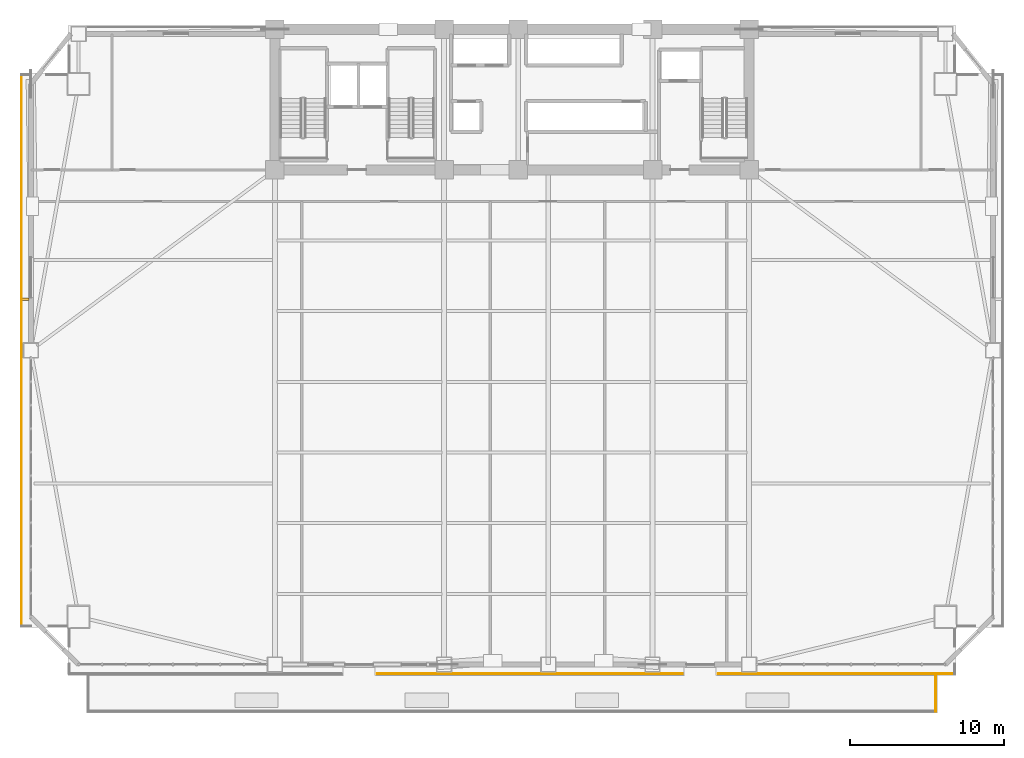
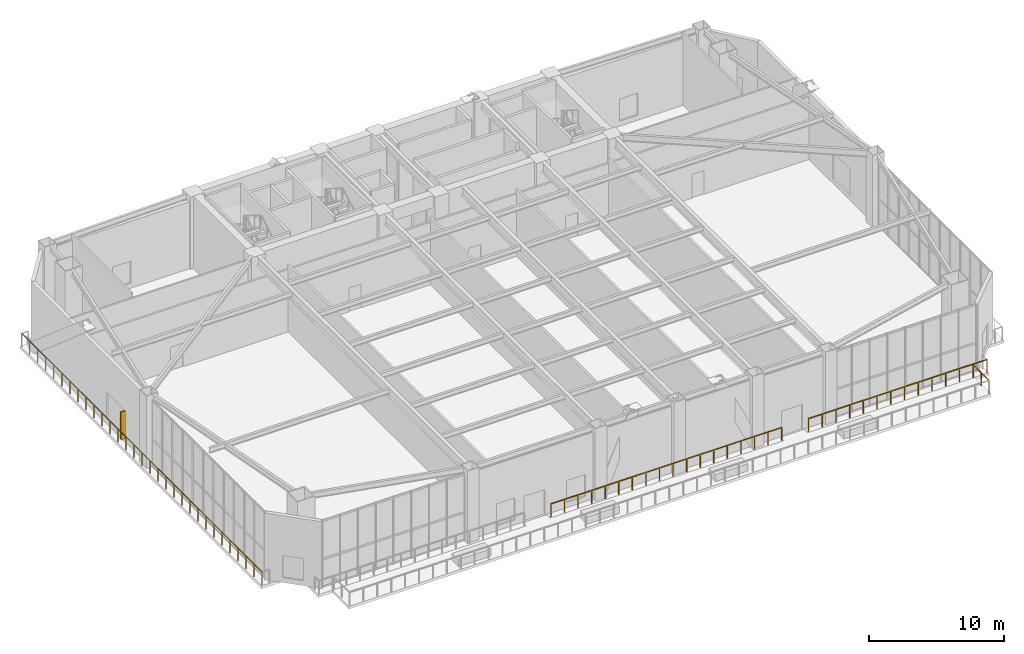
# One storey, part 19 of 22: 4 railings, 1 shading device.
"""IFC4 building model written with IfcOpenShell, lengths in metres."""

from ifc_helpers import new_model, si_unit, direction, frame, origin, origin_2d, place, context, subcontext, project, spatial, rectangle, extrude, source, transform, mapped, material, type_object, element, save


model = new_model("IFC4")

# Units and contexts
model_context = context("Model", 3, precision=1e-05, world=origin(), true_north=direction((0.0, 1.0)))
body_context = subcontext(model_context, "Body", "Model", "MODEL_VIEW")
ifc_project = project(units=[si_unit("LENGTHUNIT", "METRE"), si_unit("AREAUNIT", "SQUARE_METRE"), si_unit("VOLUMEUNIT", "CUBIC_METRE"), si_unit("PLANEANGLEUNIT", "RADIAN"), si_unit("MASSUNIT", "GRAM", prefix="KILO")], contexts=[model_context])

# Site, building, storey
site_placement = place(None, origin())
site = spatial("IfcSite", under=ifc_project, at=site_placement, CompositionType="ELEMENT")
building_placement = place(site_placement, origin())
building = spatial("IfcBuilding", under=site, at=building_placement, Name="Giltprow Tower", CompositionType="ELEMENT")
storey_placement = place(building_placement, frame((0.0, 0.0, 72.800048828125)))
storey = spatial("IfcBuildingStorey", under=building, at=storey_placement, Name="L18", CompositionType="ELEMENT", Elevation=72.800048828125)

# Railings
ifc_material = material(Name="Anodized bronze", Category="metal")
railing_type_1 = type_object("IfcRailingType", Name="RAIL-BALC-GUARD-1200", PredefinedType="BALUSTRADE", material=ifc_material)
railing_1_placement = place(storey_placement, frame((3.43994140625, 7.905029296875, 0.0)))
element("IfcRailing", 1, at=railing_1_placement, inside=storey, type_object=railing_type_1, Name="L18 Corner Apron Edge Balustrade 5", PredefinedType="BALUSTRADE", context=body_context, shape_type="SweptSolid", body=[
    extrude(rectangle(XDim=0.048095703125, YDim=0.048095703125, at=origin_2d()), frame((0.0, 0.0, 1.17578125), z_axis=(0.0, 1.0, 0.0), x_axis=(-1.0, 0.0, 0.0)), (0.0, 0.0, 1.0), 35.698974609375),
    extrude(rectangle(XDim=0.0419921875, YDim=0.0419921875, at=origin_2d()), origin(), (0.0, 0.0, 1.0), 1.15185546875),
    extrude(rectangle(XDim=0.0419921875, YDim=0.0419921875, at=origin_2d()), frame((0.0, 1.18994140625, 0.0)), (0.0, 0.0, 1.0), 1.15185546875),
    extrude(rectangle(XDim=0.0419921875, YDim=0.0419921875, at=origin_2d()), frame((0.0, 2.3798828125, 0.0)), (0.0, 0.0, 1.0), 1.15185546875),
    extrude(rectangle(XDim=0.0419921875, YDim=0.0419921875, at=origin_2d()), frame((0.0, 3.56982421875, 0.0)), (0.0, 0.0, 1.0), 1.15185546875),
    extrude(rectangle(XDim=0.0419921875, YDim=0.0419921875, at=origin_2d()), frame((0.0, 4.759765625, 0.0)), (0.0, 0.0, 1.0), 1.15185546875),
    extrude(rectangle(XDim=0.0419921875, YDim=0.0419921875, at=origin_2d()), frame((0.0, 5.94970703125, 0.0)), (0.0, 0.0, 1.0), 1.15185546875),
    extrude(rectangle(XDim=0.0419921875, YDim=0.0419921875, at=origin_2d()), frame((0.0, 7.139892578125, 0.0)), (0.0, 0.0, 1.0), 1.15185546875),
    extrude(rectangle(XDim=0.0419921875, YDim=0.0419921875, at=origin_2d()), frame((0.0, 8.329833984375, 0.0)), (0.0, 0.0, 1.0), 1.15185546875),
    extrude(rectangle(XDim=0.0419921875, YDim=0.0419921875, at=origin_2d()), frame((0.0, 9.519775390625, 0.0)), (0.0, 0.0, 1.0), 1.15185546875),
    extrude(rectangle(XDim=0.0419921875, YDim=0.0419921875, at=origin_2d()), frame((0.0, 10.709716796875, 0.0)), (0.0, 0.0, 1.0), 1.15185546875),
    extrude(rectangle(XDim=0.0419921875, YDim=0.0419921875, at=origin_2d()), frame((0.0, 11.899658203125, 0.0)), (0.0, 0.0, 1.0), 1.15185546875),
    extrude(rectangle(XDim=0.0419921875, YDim=0.0419921875, at=origin_2d()), frame((0.0, 13.089599609375, 0.0)), (0.0, 0.0, 1.0), 1.15185546875),
    extrude(rectangle(XDim=0.0419921875, YDim=0.0419921875, at=origin_2d()), frame((0.0, 14.279541015625, 0.0)), (0.0, 0.0, 1.0), 1.15185546875),
    extrude(rectangle(XDim=0.0419921875, YDim=0.0419921875, at=origin_2d()), frame((0.0, 15.469482421875, 0.0)), (0.0, 0.0, 1.0), 1.15185546875),
    extrude(rectangle(XDim=0.0419921875, YDim=0.0419921875, at=origin_2d()), frame((0.0, 16.659423828125, 0.0)), (0.0, 0.0, 1.0), 1.15185546875),
    extrude(rectangle(XDim=0.0419921875, YDim=0.0419921875, at=origin_2d()), frame((0.0, 17.849609375, 0.0)), (0.0, 0.0, 1.0), 1.15185546875),
    extrude(rectangle(XDim=0.0419921875, YDim=0.0419921875, at=origin_2d()), frame((0.0, 19.03955078125, 0.0)), (0.0, 0.0, 1.0), 1.15185546875),
    extrude(rectangle(XDim=0.0419921875, YDim=0.0419921875, at=origin_2d()), frame((0.0, 20.2294921875, 0.0)), (0.0, 0.0, 1.0), 1.15185546875),
    extrude(rectangle(XDim=0.0419921875, YDim=0.0419921875, at=origin_2d()), frame((0.0, 21.41943359375, 0.0)), (0.0, 0.0, 1.0), 1.15185546875),
    extrude(rectangle(XDim=0.0419921875, YDim=0.0419921875, at=origin_2d()), frame((0.0, 22.609375, 0.0)), (0.0, 0.0, 1.0), 1.15185546875),
    extrude(rectangle(XDim=0.0419921875, YDim=0.0419921875, at=origin_2d()), frame((0.0, 23.79931640625, 0.0)), (0.0, 0.0, 1.0), 1.15185546875),
    extrude(rectangle(XDim=0.0419921875, YDim=0.0419921875, at=origin_2d()), frame((0.0, 24.9892578125, 0.0)), (0.0, 0.0, 1.0), 1.15185546875),
    extrude(rectangle(XDim=0.0419921875, YDim=0.0419921875, at=origin_2d()), frame((0.0, 26.17919921875, 0.0)), (0.0, 0.0, 1.0), 1.15185546875),
    extrude(rectangle(XDim=0.0419921875, YDim=0.0419921875, at=origin_2d()), frame((0.0, 27.369140625, 0.0)), (0.0, 0.0, 1.0), 1.15185546875),
    extrude(rectangle(XDim=0.0419921875, YDim=0.0419921875, at=origin_2d()), frame((0.0, 28.55908203125, 0.0)), (0.0, 0.0, 1.0), 1.15185546875),
    extrude(rectangle(XDim=0.0419921875, YDim=0.0419921875, at=origin_2d()), frame((0.0, 29.7490234375, 0.0)), (0.0, 0.0, 1.0), 1.15185546875),
    extrude(rectangle(XDim=0.0419921875, YDim=0.0419921875, at=origin_2d()), frame((0.0, 30.939208984375, 0.0)), (0.0, 0.0, 1.0), 1.15185546875),
    extrude(rectangle(XDim=0.0419921875, YDim=0.0419921875, at=origin_2d()), frame((0.0, 32.129150390625, 0.0)), (0.0, 0.0, 1.0), 1.15185546875),
    extrude(rectangle(XDim=0.0419921875, YDim=0.0419921875, at=origin_2d()), frame((0.0, 33.319091796875, 0.0)), (0.0, 0.0, 1.0), 1.15185546875),
    extrude(rectangle(XDim=0.0419921875, YDim=0.0419921875, at=origin_2d()), frame((0.0, 34.509033203125, 0.0)), (0.0, 0.0, 1.0), 1.15185546875),
    extrude(rectangle(XDim=0.0419921875, YDim=0.0419921875, at=origin_2d()), frame((0.0, 35.698974609375, 0.0)), (0.0, 0.0, 1.0), 1.15185546875),
])
railing_2_placement = place(storey_placement, frame((63.864990234375, 4.80908203125, 0.0)))
element("IfcRailing", 2, at=railing_2_placement, inside=storey, type_object=railing_type_1, Name="L18 Corner Apron Edge Balustrade 19", PredefinedType="BALUSTRADE", context=body_context, shape_type="SweptSolid", body=[
    extrude(rectangle(XDim=0.048095703125, YDim=0.048095703125, at=origin_2d()), frame((0.0, 0.0, 1.17578125), z_axis=(-1.0, 0.0, 0.0), x_axis=(0.0, -1.0, 0.0)), (0.0, 0.0, 1.0), 15.31494140625),
    extrude(rectangle(XDim=0.0419921875, YDim=0.0419921875, at=origin_2d()), origin(), (0.0, 0.0, 1.0), 1.15185546875),
    extrude(rectangle(XDim=0.0419921875, YDim=0.0419921875, at=origin_2d()), frame((-1.177978515625, 0.0, 0.0)), (0.0, 0.0, 1.0), 1.15185546875),
    extrude(rectangle(XDim=0.0419921875, YDim=0.0419921875, at=origin_2d()), frame((-2.356201171875, 0.0, 0.0)), (0.0, 0.0, 1.0), 1.15185546875),
    extrude(rectangle(XDim=0.0419921875, YDim=0.0419921875, at=origin_2d()), frame((-3.5341796875, 0.0, 0.0)), (0.0, 0.0, 1.0), 1.15185546875),
    extrude(rectangle(XDim=0.0419921875, YDim=0.0419921875, at=origin_2d()), frame((-4.71240234375, 0.0, 0.0)), (0.0, 0.0, 1.0), 1.15185546875),
    extrude(rectangle(XDim=0.0419921875, YDim=0.0419921875, at=origin_2d()), frame((-5.890380859375, 0.0, 0.0)), (0.0, 0.0, 1.0), 1.15185546875),
    extrude(rectangle(XDim=0.0419921875, YDim=0.0419921875, at=origin_2d()), frame((-7.068359375, 0.0, 0.0)), (0.0, 0.0, 1.0), 1.15185546875),
    extrude(rectangle(XDim=0.0419921875, YDim=0.0419921875, at=origin_2d()), frame((-8.24658203125, 0.0, 0.0)), (0.0, 0.0, 1.0), 1.15185546875),
    extrude(rectangle(XDim=0.0419921875, YDim=0.0419921875, at=origin_2d()), frame((-9.424560546875, 0.0, 0.0)), (0.0, 0.0, 1.0), 1.15185546875),
    extrude(rectangle(XDim=0.0419921875, YDim=0.0419921875, at=origin_2d()), frame((-10.6025390625, 0.0, 0.0)), (0.0, 0.0, 1.0), 1.15185546875),
    extrude(rectangle(XDim=0.0419921875, YDim=0.0419921875, at=origin_2d()), frame((-11.78076171875, 0.0, 0.0)), (0.0, 0.0, 1.0), 1.15185546875),
    extrude(rectangle(XDim=0.0419921875, YDim=0.0419921875, at=origin_2d()), frame((-12.958740234375, 0.0, 0.0)), (0.0, 0.0, 1.0), 1.15185546875),
    extrude(rectangle(XDim=0.0419921875, YDim=0.0419921875, at=origin_2d()), frame((-14.136962890625, 0.0, 0.0)), (0.0, 0.0, 1.0), 1.15185546875),
    extrude(rectangle(XDim=0.0419921875, YDim=0.0419921875, at=origin_2d()), frame((-15.31494140625, 0.0, 0.0)), (0.0, 0.0, 1.0), 1.15185546875),
])
railing_3_placement = place(storey_placement, frame((46.25, 4.80908203125, 0.0)))
element("IfcRailing", 3, at=railing_3_placement, inside=storey, type_object=railing_type_1, Name="L18 Corner Apron Edge Balustrade 20", PredefinedType="BALUSTRADE", context=body_context, shape_type="SweptSolid", body=[
    extrude(rectangle(XDim=0.048095703125, YDim=0.048095703125, at=origin_2d()), frame((0.0, 0.0, 1.17578125), z_axis=(-1.0, 0.0, 0.0), x_axis=(0.0, -1.0, 0.0)), (0.0, 0.0, 1.0), 19.800048828125),
    extrude(rectangle(XDim=0.0419921875, YDim=0.0419921875, at=origin_2d()), origin(), (0.0, 0.0, 1.0), 1.15185546875),
    extrude(rectangle(XDim=0.0419921875, YDim=0.0419921875, at=origin_2d()), frame((-1.164794921875, 0.0, 0.0)), (0.0, 0.0, 1.0), 1.15185546875),
    extrude(rectangle(XDim=0.0419921875, YDim=0.0419921875, at=origin_2d()), frame((-2.329345703125, 0.0, 0.0)), (0.0, 0.0, 1.0), 1.15185546875),
    extrude(rectangle(XDim=0.0419921875, YDim=0.0419921875, at=origin_2d()), frame((-3.494140625, 0.0, 0.0)), (0.0, 0.0, 1.0), 1.15185546875),
    extrude(rectangle(XDim=0.0419921875, YDim=0.0419921875, at=origin_2d()), frame((-4.658935546875, 0.0, 0.0)), (0.0, 0.0, 1.0), 1.15185546875),
    extrude(rectangle(XDim=0.0419921875, YDim=0.0419921875, at=origin_2d()), frame((-5.823486328125, 0.0, 0.0)), (0.0, 0.0, 1.0), 1.15185546875),
    extrude(rectangle(XDim=0.0419921875, YDim=0.0419921875, at=origin_2d()), frame((-6.98828125, 0.0, 0.0)), (0.0, 0.0, 1.0), 1.15185546875),
    extrude(rectangle(XDim=0.0419921875, YDim=0.0419921875, at=origin_2d()), frame((-8.153076171875, 0.0, 0.0)), (0.0, 0.0, 1.0), 1.15185546875),
    extrude(rectangle(XDim=0.0419921875, YDim=0.0419921875, at=origin_2d()), frame((-9.317626953125, 0.0, 0.0)), (0.0, 0.0, 1.0), 1.15185546875),
    extrude(rectangle(XDim=0.0419921875, YDim=0.0419921875, at=origin_2d()), frame((-10.482421875, 0.0, 0.0)), (0.0, 0.0, 1.0), 1.15185546875),
    extrude(rectangle(XDim=0.0419921875, YDim=0.0419921875, at=origin_2d()), frame((-11.64697265625, 0.0, 0.0)), (0.0, 0.0, 1.0), 1.15185546875),
    extrude(rectangle(XDim=0.0419921875, YDim=0.0419921875, at=origin_2d()), frame((-12.811767578125, 0.0, 0.0)), (0.0, 0.0, 1.0), 1.15185546875),
    extrude(rectangle(XDim=0.0419921875, YDim=0.0419921875, at=origin_2d()), frame((-13.9765625, 0.0, 0.0)), (0.0, 0.0, 1.0), 1.15185546875),
    extrude(rectangle(XDim=0.0419921875, YDim=0.0419921875, at=origin_2d()), frame((-15.14111328125, 0.0, 0.0)), (0.0, 0.0, 1.0), 1.15185546875),
    extrude(rectangle(XDim=0.0419921875, YDim=0.0419921875, at=origin_2d()), frame((-16.305908203125, 0.0, 0.0)), (0.0, 0.0, 1.0), 1.15185546875),
    extrude(rectangle(XDim=0.0419921875, YDim=0.0419921875, at=origin_2d()), frame((-17.470703125, 0.0, 0.0)), (0.0, 0.0, 1.0), 1.15185546875),
    extrude(rectangle(XDim=0.0419921875, YDim=0.0419921875, at=origin_2d()), frame((-18.63525390625, 0.0, 0.0)), (0.0, 0.0, 1.0), 1.15185546875),
    extrude(rectangle(XDim=0.0419921875, YDim=0.0419921875, at=origin_2d()), frame((-19.800048828125, 0.0, 0.0)), (0.0, 0.0, 1.0), 1.15185546875),
])
railing_type_2 = type_object("IfcRailingType", Name="RAIL-TERR-BAL-1200", PredefinedType="BALUSTRADE", material=ifc_material)
railing_4_placement = place(storey_placement, frame((62.64404296875, 2.37890625, 0.0)))
element("IfcRailing", 4, at=railing_4_placement, inside=storey, type_object=railing_type_2, Name="L18 Sky Garden Guardrail Seg 3", PredefinedType="BALUSTRADE", context=body_context, shape_type="SweptSolid", body=[
    extrude(rectangle(XDim=0.048095703125, YDim=0.048095703125, at=origin_2d()), frame((0.0, 0.0, 1.17578125), z_axis=(0.0, 1.0, 0.0), x_axis=(-1.0, 0.0, 0.0)), (0.0, 0.0, 1.0), 2.330078125),
    extrude(rectangle(XDim=0.0419921875, YDim=0.0419921875, at=origin_2d()), origin(), (0.0, 0.0, 1.0), 1.15185546875),
    extrude(rectangle(XDim=0.0419921875, YDim=0.0419921875, at=origin_2d()), frame((0.0, 1.1650390625, 0.0)), (0.0, 0.0, 1.0), 1.15185546875),
    extrude(rectangle(XDim=0.0419921875, YDim=0.0419921875, at=origin_2d()), frame((0.0, 2.330078125, 0.0)), (0.0, 0.0, 1.0), 1.15185546875),
])

# Shading device
shading_device_type = type_object("IfcShadingDeviceType", Name="SHD-FIN-420", PredefinedType="USERDEFINED", material=ifc_material)
shared_shape = source(origin(), body_context, "Body", "SweptSolid", [
    extrude(rectangle(XDim=0.419921875, YDim=0.159912109375, at=origin_2d()), origin(), (0.0, 0.0, 1.0), 2.5),
])
shading_device_placement = place(storey_placement, frame((3.719970703125, 29.053955078125, 0.349853515625), z_axis=(0.0, 0.0, 1.0), x_axis=(1.0, 0.0, 0.0)))
element("IfcShadingDevice", 5, at=shading_device_placement, inside=storey, type_object=shading_device_type, Name="L18 W Bronze Vertical Fin 2-1", ObjectType="FIN", PredefinedType="USERDEFINED", context=body_context, shape_type="MappedRepresentation", body=[
    mapped(shared_shape, transform((0.0, 0.0, 0.0), x_axis=(1.0, 0.0, 0.0), y_axis=(0.0, 1.0, 0.0), z_axis=(0.0, 0.0, 1.0), scale=1.0)),
])

save(model, "model.ifc")
